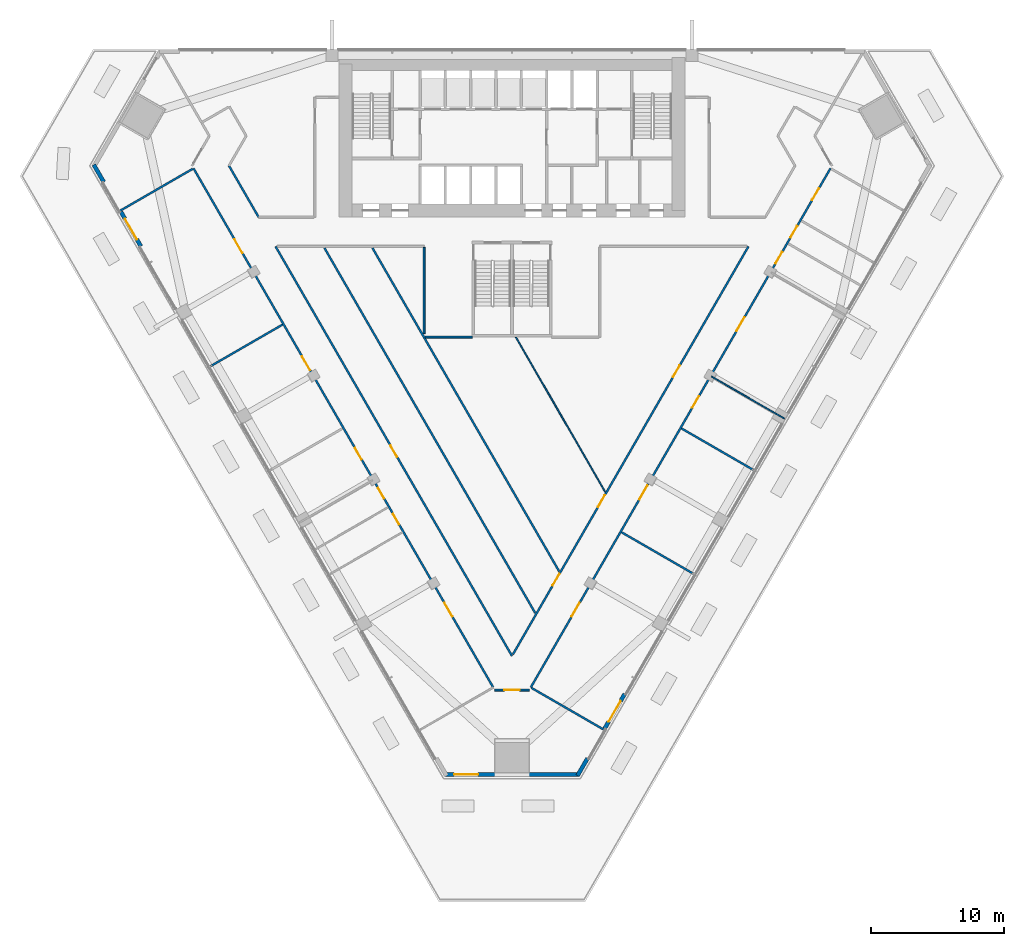
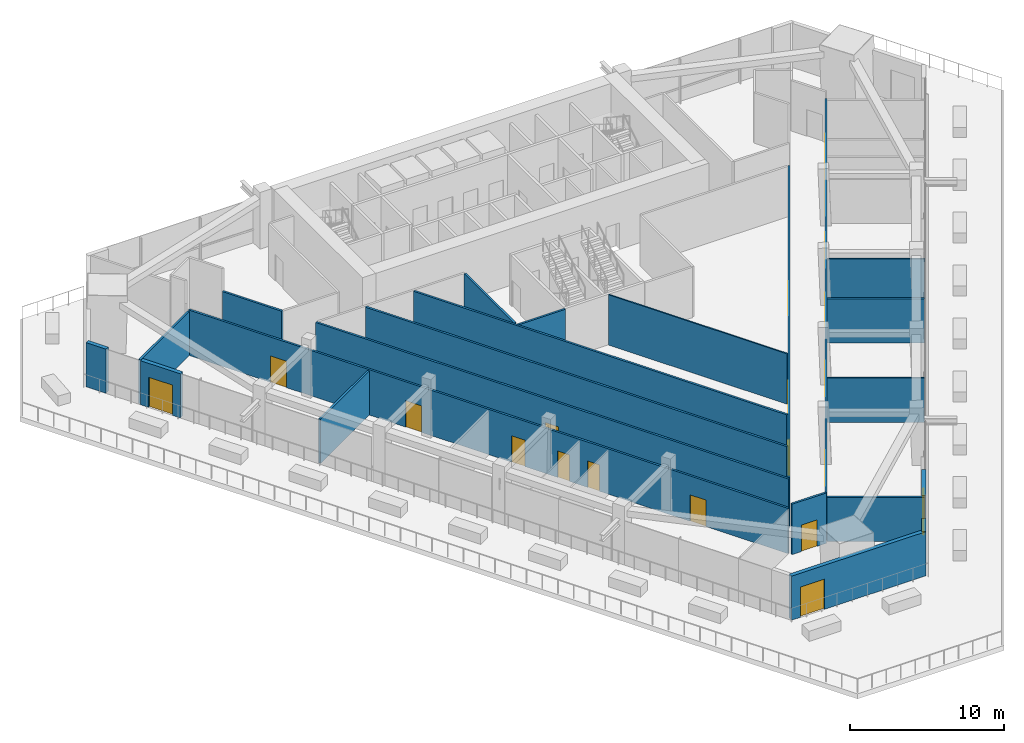
# One storey, part 9 of 15: 22 walls, 21 doors, 21 openings.
"""IFC4 building model written with IfcOpenShell, lengths in metres."""

from ifc_helpers import new_model, si_unit, direction, frame, frame_2d, origin, place, context, subcontext, project, spatial, rectangle, extrude, material, layer, layer_set, type_object, element, fill, save


model = new_model("IFC4")

# Units and contexts
model_context = context("Model", 3, precision=1e-05, world=origin(), true_north=direction((0.0, 1.0)))
body_context = subcontext(model_context, "Body", "Model", "MODEL_VIEW")
ifc_project = project(units=[si_unit("LENGTHUNIT", "METRE"), si_unit("AREAUNIT", "SQUARE_METRE"), si_unit("VOLUMEUNIT", "CUBIC_METRE"), si_unit("PLANEANGLEUNIT", "RADIAN"), si_unit("MASSUNIT", "GRAM", prefix="KILO")], contexts=[model_context])

# Site, building, storey
site_placement = place(None, origin())
site = spatial("IfcSite", under=ifc_project, at=site_placement, CompositionType="ELEMENT")
building_placement = place(site_placement, origin())
building = spatial("IfcBuilding", under=site, at=building_placement, Name="Altiplano Prism Tower", CompositionType="ELEMENT")
storey_placement = place(building_placement, frame((0.0, 0.0, 22.5)))
storey = spatial("IfcBuildingStorey", under=building, at=storey_placement, Name="L04", CompositionType="ELEMENT", Elevation=22.5)

# Walls
ifc_material_1 = material(Name="Plasterboard on steel stud", Category="steel")
ifc_layer_1 = layer(ifc_material_1, 0.10009765625)
ifc_layer_set_1 = layer_set([ifc_layer_1], Name="Plasterboard on steel stud")
wall_type_1 = type_object("IfcWallType", Name="Partition 100 wet", PredefinedType="PARTITIONING", material=ifc_layer_set_1)
wall_1_placement = place(storey_placement, frame((105.449951171875, 77.27392578125, 0.0), z_axis=(0.0, 0.0, 1.0), x_axis=(-0.866015887322, 0.500016482634, 0.0)))
element("IfcWall", 1, at=wall_1_placement, inside=storey, type_object=wall_type_1, Name="Partition P03 L04 041", PredefinedType="PARTITIONING", context=body_context, shape_type="SweptSolid", body=[
    extrude(rectangle(XDim=6.324951171875, YDim=0.10009765625, at=frame_2d((3.16259765625, 0.0))), origin(), (0.0, 0.0, 1.0), 3.5),
])
wall_2_placement = place(storey_placement, frame((85.284423828125, 83.39990234375, 0.0), z_axis=(0.0, 0.0, 1.0), x_axis=(0.500002148711, -0.866024163222, 0.0)))
element("IfcWall", 2, at=wall_2_placement, inside=storey, type_object=wall_type_1, Name="Partition P03 L04 047", PredefinedType="PARTITIONING", context=body_context, shape_type="SweptSolid", body=[
    extrude(rectangle(XDim=13.42431640625, YDim=0.10009765625, at=frame_2d((6.712158203125, 0.0))), origin(), (0.0, 0.0, 1.0), 4.0),
])

# Wall, openings, doors
ifc_layer_2 = layer(ifc_material_1, 0.14990234375)
ifc_layer_set_2 = layer_set([ifc_layer_2], Name="Plasterboard on steel stud")
wall_type_2 = type_object("IfcWallType", Name="Partition 150 corridor", PredefinedType="PARTITIONING", material=ifc_layer_set_2)
wall_3_placement = place(storey_placement, frame((61.092529296875, 96.062255859375, 0.0), z_axis=(0.0, 0.0, 1.0), x_axis=(0.5000018851, -0.866024315419, 0.0)))
wall_3 = element("IfcWall", 3, at=wall_3_placement, inside=storey, type_object=wall_type_2, Name="Partition P06 L04 003", PredefinedType="PARTITIONING", context=body_context, shape_type="SweptSolid", body=[
    extrude(rectangle(XDim=44.999755859375, YDim=0.14990234375, at=frame_2d((22.5, 0.0))), origin(), (0.0, 0.0, 1.0), 3.60009765625),
])
opening_1_placement = place(wall_3_placement, frame((6.14990234375, 0.0, 0.0)))
opening_1 = element("IfcOpeningElement", 4, at=opening_1_placement, cuts=wall_3, Name="Opening D0113", PredefinedType="OPENING", context=body_context, shape_type="SweptSolid", body=[
    extrude(rectangle(XDim=1.199951171875, YDim=2.10009765625, at=frame_2d((0.60009765625, 1.050048828125))), frame((0.0, 0.08544921875, 0.0), z_axis=(0.0, -1.0, 0.0), x_axis=(1.0, 0.0, 0.0)), (0.0, 0.0, 1.0), 0.1708984375),
])
opening_2_placement = place(wall_3_placement, frame((16.300048828125, 0.0, 0.0)))
opening_2 = element("IfcOpeningElement", 5, at=opening_2_placement, cuts=wall_3, Name="Opening D0114", PredefinedType="OPENING", context=body_context, shape_type="SweptSolid", body=[
    extrude(rectangle(XDim=1.199951171875, YDim=2.10009765625, at=frame_2d((0.60009765625, 1.050048828125))), frame((0.0, 0.08544921875, 0.0), z_axis=(0.0, -1.0, 0.0), x_axis=(1.0, 0.0, 0.0)), (0.0, 0.0, 1.0), 0.1708984375),
])
opening_3_placement = place(wall_3_placement, frame((24.25, 0.0, 0.0)))
opening_3 = element("IfcOpeningElement", 6, at=opening_3_placement, cuts=wall_3, Name="Opening D0115", PredefinedType="OPENING", context=body_context, shape_type="SweptSolid", body=[
    extrude(rectangle(XDim=1.0, YDim=2.10009765625, at=frame_2d((0.5, 1.050048828125))), frame((0.0, 0.08544921875, 0.0), z_axis=(0.0, -1.0, 0.0), x_axis=(1.0, 0.0, 0.0)), (0.0, 0.0, 1.0), 0.1708984375),
])
opening_4_placement = place(wall_3_placement, frame((27.720947265625, 0.0, 0.0)))
opening_4 = element("IfcOpeningElement", 7, at=opening_4_placement, cuts=wall_3, Name="Opening D0116", PredefinedType="OPENING", context=body_context, shape_type="SweptSolid", body=[
    extrude(rectangle(XDim=0.89990234375, YDim=2.10009765625, at=frame_2d((0.449951171875, 1.050048828125))), frame((0.0, 0.08544921875, 0.0), z_axis=(0.0, -1.0, 0.0), x_axis=(1.0, 0.0, 0.0)), (0.0, 0.0, 1.0), 0.1708984375),
])
opening_5_placement = place(wall_3_placement, frame((29.970947265625, 0.0, 0.0)))
opening_5 = element("IfcOpeningElement", 8, at=opening_5_placement, cuts=wall_3, Name="Opening D0117", PredefinedType="OPENING", context=body_context, shape_type="SweptSolid", body=[
    extrude(rectangle(XDim=0.89990234375, YDim=2.10009765625, at=frame_2d((0.449951171875, 1.050048828125))), frame((0.0, 0.08544921875, 0.0), z_axis=(0.0, -1.0, 0.0), x_axis=(1.0, 0.0, 0.0)), (0.0, 0.0, 1.0), 0.1708984375),
])
opening_6_placement = place(wall_3_placement, frame((37.64990234375, 0.0, 0.0)))
opening_6 = element("IfcOpeningElement", 9, at=opening_6_placement, cuts=wall_3, Name="Opening D0118", PredefinedType="OPENING", context=body_context, shape_type="SweptSolid", body=[
    extrude(rectangle(XDim=1.199951171875, YDim=2.10009765625, at=frame_2d((0.60009765625, 1.050048828125))), frame((0.0, 0.08544921875, 0.0), z_axis=(0.0, -1.0, 0.0), x_axis=(1.0, 0.0, 0.0)), (0.0, 0.0, 1.0), 0.1708984375),
])
ifc_material_2 = material(Name="Timber", Category="wood")
door_type_1 = type_object("IfcDoorType", Name="Room door 1000 x 2100", OperationType="NOTDEFINED", PredefinedType="NOTDEFINED", material=ifc_material_2)
door_1_placement = place(opening_3_placement, origin())
door_1 = element("IfcDoor", 10, at=door_1_placement, inside=storey, type_object=door_type_1, Name="Door D0115", OperationType="SINGLE_SWING_LEFT", OverallHeight=2.10009765625, OverallWidth=1.0, PredefinedType="NOTDEFINED", context=body_context, shape_type="SweptSolid", body=[
    extrude(rectangle(XDim=1.0, YDim=2.10009765625, at=frame_2d((0.5, 1.050048828125))), frame((0.0, 0.02490234375, 0.0), z_axis=(0.0, -1.0, 0.0), x_axis=(1.0, 0.0, 0.0)), (0.0, 0.0, 1.0), 0.050048828125),
])
fill(opening_3, door_1)
door_type_2 = type_object("IfcDoorType", Name="Shared room door 1200 x 2100", OperationType="NOTDEFINED", PredefinedType="NOTDEFINED", material=ifc_material_2)
door_2_placement = place(opening_1_placement, origin())
door_2 = element("IfcDoor", 11, at=door_2_placement, inside=storey, type_object=door_type_2, Name="Door D0113", OperationType="SINGLE_SWING_LEFT", OverallHeight=2.10009765625, OverallWidth=1.199951171875, PredefinedType="NOTDEFINED", context=body_context, shape_type="SweptSolid", body=[
    extrude(rectangle(XDim=1.199951171875, YDim=2.10009765625, at=frame_2d((0.60009765625, 1.050048828125))), frame((0.0, 0.02490234375, 0.0), z_axis=(0.0, -1.0, 0.0), x_axis=(1.0, 0.0, 0.0)), (0.0, 0.0, 1.0), 0.050048828125),
])
fill(opening_1, door_2)
door_3_placement = place(opening_2_placement, origin())
door_3 = element("IfcDoor", 12, at=door_3_placement, inside=storey, type_object=door_type_2, Name="Door D0114", OperationType="SINGLE_SWING_RIGHT", OverallHeight=2.10009765625, OverallWidth=1.199951171875, PredefinedType="NOTDEFINED", context=body_context, shape_type="SweptSolid", body=[
    extrude(rectangle(XDim=1.199951171875, YDim=2.10009765625, at=frame_2d((0.60009765625, 1.050048828125))), frame((0.0, 0.02490234375, 0.0), z_axis=(0.0, -1.0, 0.0), x_axis=(1.0, 0.0, 0.0)), (0.0, 0.0, 1.0), 0.050048828125),
])
fill(opening_2, door_3)
door_4_placement = place(opening_6_placement, origin())
door_4 = element("IfcDoor", 13, at=door_4_placement, inside=storey, type_object=door_type_2, Name="Door D0118", OperationType="SINGLE_SWING_LEFT", OverallHeight=2.10009765625, OverallWidth=1.199951171875, PredefinedType="NOTDEFINED", context=body_context, shape_type="SweptSolid", body=[
    extrude(rectangle(XDim=1.199951171875, YDim=2.10009765625, at=frame_2d((0.60009765625, 1.050048828125))), frame((0.0, 0.02490234375, 0.0), z_axis=(0.0, -1.0, 0.0), x_axis=(1.0, 0.0, 0.0)), (0.0, 0.0, 1.0), 0.050048828125),
])
fill(opening_6, door_4)
door_type_3 = type_object("IfcDoorType", Name="Toilet door 900 x 2100", OperationType="NOTDEFINED", PredefinedType="NOTDEFINED", material=ifc_material_2)
door_5_placement = place(opening_4_placement, origin())
door_5 = element("IfcDoor", 14, at=door_5_placement, inside=storey, type_object=door_type_3, Name="Door D0116", OperationType="SINGLE_SWING_LEFT", OverallHeight=2.10009765625, OverallWidth=0.89990234375, PredefinedType="NOTDEFINED", context=body_context, shape_type="SweptSolid", body=[
    extrude(rectangle(XDim=0.89990234375, YDim=2.10009765625, at=frame_2d((0.449951171875, 1.050048828125))), frame((0.0, 0.02490234375, 0.0), z_axis=(0.0, -1.0, 0.0), x_axis=(1.0, 0.0, 0.0)), (0.0, 0.0, 1.0), 0.050048828125),
])
fill(opening_4, door_5)
door_6_placement = place(opening_5_placement, origin())
door_6 = element("IfcDoor", 15, at=door_6_placement, inside=storey, type_object=door_type_3, Name="Door D0117", OperationType="SINGLE_SWING_LEFT", OverallHeight=2.10009765625, OverallWidth=0.89990234375, PredefinedType="NOTDEFINED", context=body_context, shape_type="SweptSolid", body=[
    extrude(rectangle(XDim=0.89990234375, YDim=2.10009765625, at=frame_2d((0.449951171875, 1.050048828125))), frame((0.0, 0.02490234375, 0.0), z_axis=(0.0, -1.0, 0.0), x_axis=(1.0, 0.0, 0.0)), (0.0, 0.0, 1.0), 0.050048828125),
])
fill(opening_5, door_6)

# Wall, opening, door
wall_4_placement = place(storey_placement, frame((83.70458984375, 56.897216796875, 0.0), z_axis=(0.0, 0.0, 1.0), x_axis=(1.0, 0.0, 0.0)))
wall_4 = element("IfcWall", 16, at=wall_4_placement, inside=storey, type_object=wall_type_2, Name="Partition P06 L04 004", PredefinedType="PARTITIONING", context=body_context, shape_type="SweptSolid", body=[
    extrude(rectangle(XDim=2.5908203125, YDim=0.14990234375, at=frame_2d((1.29541015625, 0.0))), origin(), (0.0, 0.0, 1.0), 4.0),
])
opening_7_placement = place(wall_4_placement, frame((0.695068359375, 0.0, 0.0)))
opening_7 = element("IfcOpeningElement", 17, at=opening_7_placement, cuts=wall_4, Name="Opening D0119", PredefinedType="OPENING", context=body_context, shape_type="SweptSolid", body=[
    extrude(rectangle(XDim=1.199951171875, YDim=2.10009765625, at=frame_2d((0.60009765625, 1.050048828125))), frame((0.0, 0.08544921875, 0.0), z_axis=(0.0, -1.0, 0.0), x_axis=(1.0, 0.0, 0.0)), (0.0, 0.0, 1.0), 0.1708984375),
])
door_7_placement = place(opening_7_placement, origin())
door_7 = element("IfcDoor", 18, at=door_7_placement, inside=storey, type_object=door_type_2, Name="Door D0119", OperationType="SINGLE_SWING_LEFT", OverallHeight=2.10009765625, OverallWidth=1.199951171875, PredefinedType="NOTDEFINED", context=body_context, shape_type="SweptSolid", body=[
    extrude(rectangle(XDim=1.199951171875, YDim=2.10009765625, at=frame_2d((0.60009765625, 1.050048828125))), frame((0.0, 0.02490234375, 0.0), z_axis=(0.0, -1.0, 0.0), x_axis=(1.0, 0.0, 0.0)), (0.0, 0.0, 1.0), 0.050048828125),
])
fill(opening_7, door_7)

# Wall, openings, doors
wall_5_placement = place(storey_placement, frame((86.407470703125, 57.09130859375, 0.0), z_axis=(0.0, 0.0, 1.0), x_axis=(0.49999953585, 0.866025671762, 0.0)))
wall_5 = element("IfcWall", 19, at=wall_5_placement, inside=storey, type_object=wall_type_2, Name="Partition P06 L04 005", PredefinedType="PARTITIONING", context=body_context, shape_type="SweptSolid", body=[
    extrude(rectangle(XDim=45.0, YDim=0.14990234375, at=frame_2d((22.5, 0.0))), origin(), (0.0, 0.0, 1.0), 3.60009765625),
])
opening_8_placement = place(wall_5_placement, frame((6.14990234375, 0.0, 0.0)))
opening_8 = element("IfcOpeningElement", 20, at=opening_8_placement, cuts=wall_5, Name="Opening D0120", PredefinedType="OPENING", context=body_context, shape_type="SweptSolid", body=[
    extrude(rectangle(XDim=1.199951171875, YDim=2.10009765625, at=frame_2d((0.60009765625, 1.050048828125))), frame((0.0, 0.08544921875, 0.0), z_axis=(0.0, -1.0, 0.0), x_axis=(1.0, 0.0, 0.0)), (0.0, 0.0, 1.0), 0.1708984375),
])
opening_9_placement = place(wall_5_placement, frame((16.300048828125, 0.0, 0.0)))
opening_9 = element("IfcOpeningElement", 21, at=opening_9_placement, cuts=wall_5, Name="Opening D0121", PredefinedType="OPENING", context=body_context, shape_type="SweptSolid", body=[
    extrude(rectangle(XDim=1.199951171875, YDim=2.10009765625, at=frame_2d((0.60009765625, 1.050048828125))), frame((0.0, 0.08544921875, 0.0), z_axis=(0.0, -1.0, 0.0), x_axis=(1.0, 0.0, 0.0)), (0.0, 0.0, 1.0), 0.1708984375),
])
opening_10_placement = place(wall_5_placement, frame((24.25, 0.0, 0.0)))
opening_10 = element("IfcOpeningElement", 22, at=opening_10_placement, cuts=wall_5, Name="Opening D0122", PredefinedType="OPENING", context=body_context, shape_type="SweptSolid", body=[
    extrude(rectangle(XDim=1.0, YDim=2.10009765625, at=frame_2d((0.5, 1.050048828125))), frame((0.0, 0.08544921875, 0.0), z_axis=(0.0, -1.0, 0.0), x_axis=(1.0, 0.0, 0.0)), (0.0, 0.0, 1.0), 0.1708984375),
])
opening_11_placement = place(wall_5_placement, frame((30.89990234375, 0.0, 0.0)))
opening_11 = element("IfcOpeningElement", 23, at=opening_11_placement, cuts=wall_5, Name="Opening D0123", PredefinedType="OPENING", context=body_context, shape_type="SweptSolid", body=[
    extrude(rectangle(XDim=1.199951171875, YDim=2.10009765625, at=frame_2d((0.60009765625, 1.050048828125))), frame((0.0, 0.08544921875, 0.0), z_axis=(0.0, -1.0, 0.0), x_axis=(1.0, 0.0, 0.0)), (0.0, 0.0, 1.0), 0.1708984375),
])
opening_12_placement = place(wall_5_placement, frame((36.760986328125, 0.0, 0.0)))
opening_12 = element("IfcOpeningElement", 24, at=opening_12_placement, cuts=wall_5, Name="Opening D0124", PredefinedType="OPENING", context=body_context, shape_type="SweptSolid", body=[
    extrude(rectangle(XDim=1.0, YDim=2.10009765625, at=frame_2d((0.5, 1.050048828125))), frame((0.0, 0.08544921875, 0.0), z_axis=(0.0, -1.0, 0.0), x_axis=(1.0, 0.0, 0.0)), (0.0, 0.0, 1.0), 0.1708984375),
])
opening_13_placement = place(wall_5_placement, frame((39.010986328125, 0.0, 0.0)))
opening_13 = element("IfcOpeningElement", 25, at=opening_13_placement, cuts=wall_5, Name="Opening D0125", PredefinedType="OPENING", context=body_context, shape_type="SweptSolid", body=[
    extrude(rectangle(XDim=1.0, YDim=2.10009765625, at=frame_2d((0.5, 1.050048828125))), frame((0.0, 0.08544921875, 0.0), z_axis=(0.0, -1.0, 0.0), x_axis=(1.0, 0.0, 0.0)), (0.0, 0.0, 1.0), 0.1708984375),
])
opening_14_placement = place(wall_5_placement, frame((42.25, 0.0, 0.0)))
opening_14 = element("IfcOpeningElement", 26, at=opening_14_placement, cuts=wall_5, Name="Opening D0126", PredefinedType="OPENING", context=body_context, shape_type="SweptSolid", body=[
    extrude(rectangle(XDim=1.0, YDim=2.10009765625, at=frame_2d((0.5, 1.050048828125))), frame((0.0, 0.08544921875, 0.0), z_axis=(0.0, -1.0, 0.0), x_axis=(1.0, 0.0, 0.0)), (0.0, 0.0, 1.0), 0.1708984375),
])
door_8_placement = place(opening_10_placement, origin())
door_8 = element("IfcDoor", 27, at=door_8_placement, inside=storey, type_object=door_type_1, Name="Door D0122", OperationType="SINGLE_SWING_LEFT", OverallHeight=2.10009765625, OverallWidth=1.0, PredefinedType="NOTDEFINED", context=body_context, shape_type="SweptSolid", body=[
    extrude(rectangle(XDim=1.0, YDim=2.10009765625, at=frame_2d((0.5, 1.050048828125))), frame((0.0, 0.02490234375, 0.0), z_axis=(0.0, -1.0, 0.0), x_axis=(1.0, 0.0, 0.0)), (0.0, 0.0, 1.0), 0.050048828125),
])
fill(opening_10, door_8)
door_9_placement = place(opening_14_placement, origin())
door_9 = element("IfcDoor", 28, at=door_9_placement, inside=storey, type_object=door_type_1, Name="Door D0126", OperationType="SINGLE_SWING_LEFT", OverallHeight=2.10009765625, OverallWidth=1.0, PredefinedType="NOTDEFINED", context=body_context, shape_type="SweptSolid", body=[
    extrude(rectangle(XDim=1.0, YDim=2.10009765625, at=frame_2d((0.5, 1.050048828125))), frame((0.0, 0.02490234375, 0.0), z_axis=(0.0, -1.0, 0.0), x_axis=(1.0, 0.0, 0.0)), (0.0, 0.0, 1.0), 0.050048828125),
])
fill(opening_14, door_9)
door_10_placement = place(opening_8_placement, origin())
door_10 = element("IfcDoor", 29, at=door_10_placement, inside=storey, type_object=door_type_2, Name="Door D0120", OperationType="SINGLE_SWING_LEFT", OverallHeight=2.10009765625, OverallWidth=1.199951171875, PredefinedType="NOTDEFINED", context=body_context, shape_type="SweptSolid", body=[
    extrude(rectangle(XDim=1.199951171875, YDim=2.10009765625, at=frame_2d((0.60009765625, 1.050048828125))), frame((0.0, 0.02490234375, 0.0), z_axis=(0.0, -1.0, 0.0), x_axis=(1.0, 0.0, 0.0)), (0.0, 0.0, 1.0), 0.050048828125),
])
fill(opening_8, door_10)
door_11_placement = place(opening_9_placement, origin())
door_11 = element("IfcDoor", 30, at=door_11_placement, inside=storey, type_object=door_type_2, Name="Door D0121", OperationType="SINGLE_SWING_RIGHT", OverallHeight=2.10009765625, OverallWidth=1.199951171875, PredefinedType="NOTDEFINED", context=body_context, shape_type="SweptSolid", body=[
    extrude(rectangle(XDim=1.199951171875, YDim=2.10009765625, at=frame_2d((0.60009765625, 1.050048828125))), frame((0.0, 0.02490234375, 0.0), z_axis=(0.0, -1.0, 0.0), x_axis=(1.0, 0.0, 0.0)), (0.0, 0.0, 1.0), 0.050048828125),
])
fill(opening_9, door_11)
door_12_placement = place(opening_11_placement, origin())
door_12 = element("IfcDoor", 31, at=door_12_placement, inside=storey, type_object=door_type_2, Name="Door D0123", OperationType="SINGLE_SWING_LEFT", OverallHeight=2.10009765625, OverallWidth=1.199951171875, PredefinedType="NOTDEFINED", context=body_context, shape_type="SweptSolid", body=[
    extrude(rectangle(XDim=1.199951171875, YDim=2.10009765625, at=frame_2d((0.60009765625, 1.050048828125))), frame((0.0, 0.02490234375, 0.0), z_axis=(0.0, -1.0, 0.0), x_axis=(1.0, 0.0, 0.0)), (0.0, 0.0, 1.0), 0.050048828125),
])
fill(opening_11, door_12)
door_type_4 = type_object("IfcDoorType", Name="Store door 1000 x 2100", OperationType="NOTDEFINED", PredefinedType="NOTDEFINED", material=ifc_material_2)
door_13_placement = place(opening_12_placement, origin())
door_13 = element("IfcDoor", 32, at=door_13_placement, inside=storey, type_object=door_type_4, Name="Door D0124", OperationType="SINGLE_SWING_LEFT", OverallHeight=2.10009765625, OverallWidth=1.0, PredefinedType="NOTDEFINED", context=body_context, shape_type="SweptSolid", body=[
    extrude(rectangle(XDim=1.0, YDim=2.10009765625, at=frame_2d((0.5, 1.050048828125))), frame((0.0, 0.02490234375, 0.0), z_axis=(0.0, -1.0, 0.0), x_axis=(1.0, 0.0, 0.0)), (0.0, 0.0, 1.0), 0.050048828125),
])
fill(opening_12, door_13)
door_14_placement = place(opening_13_placement, origin())
door_14 = element("IfcDoor", 33, at=door_14_placement, inside=storey, type_object=door_type_4, Name="Door D0125", OperationType="SINGLE_SWING_LEFT", OverallHeight=2.10009765625, OverallWidth=1.0, PredefinedType="NOTDEFINED", context=body_context, shape_type="SweptSolid", body=[
    extrude(rectangle(XDim=1.0, YDim=2.10009765625, at=frame_2d((0.5, 1.050048828125))), frame((0.0, 0.02490234375, 0.0), z_axis=(0.0, -1.0, 0.0), x_axis=(1.0, 0.0, 0.0)), (0.0, 0.0, 1.0), 0.050048828125),
])
fill(opening_13, door_14)

wall_6_placement = place(storey_placement, frame((102.749755859375, 90.198974609375, 0.0), z_axis=(0.0, 0.0, 1.0), x_axis=(-0.500001686779, -0.86602442992, 0.0)))
wall_6 = element("IfcWall", 34, at=wall_6_placement, inside=storey, type_object=wall_type_2, Name="Partition P06 L04 011", PredefinedType="PARTITIONING", context=body_context, shape_type="SweptSolid", body=[
    extrude(rectangle(XDim=35.36962890625, YDim=0.14990234375, at=frame_2d((17.684814453125, 0.0))), origin(), (0.0, 0.0, 1.0), 4.0),
])
opening_15_placement = place(wall_6_placement, frame((10.31494140625, 0.0, 0.0)))
opening_15 = element("IfcOpeningElement", 35, at=opening_15_placement, cuts=wall_6, Name="Opening D0128", PredefinedType="OPENING", context=body_context, shape_type="SweptSolid", body=[
    extrude(rectangle(XDim=1.0, YDim=2.10009765625, at=frame_2d((0.5, 1.050048828125))), frame((0.0, 0.08544921875, 0.0), z_axis=(0.0, -1.0, 0.0), x_axis=(1.0, 0.0, 0.0)), (0.0, 0.0, 1.0), 0.1708984375),
])
opening_16_placement = place(wall_6_placement, frame((21.571044921875, 0.0, 0.0)))
opening_16 = element("IfcOpeningElement", 36, at=opening_16_placement, cuts=wall_6, Name="Opening D0129", PredefinedType="OPENING", context=body_context, shape_type="SweptSolid", body=[
    extrude(rectangle(XDim=1.0, YDim=2.10009765625, at=frame_2d((0.5, 1.050048828125))), frame((0.0, 0.08544921875, 0.0), z_axis=(0.0, -1.0, 0.0), x_axis=(1.0, 0.0, 0.0)), (0.0, 0.0, 1.0), 0.1708984375),
])
opening_17_placement = place(wall_6_placement, frame((28.39697265625, 0.0, 0.0)))
opening_17 = element("IfcOpeningElement", 37, at=opening_17_placement, cuts=wall_6, Name="Opening D0133", PredefinedType="OPENING", context=body_context, shape_type="SweptSolid", body=[
    extrude(rectangle(XDim=1.0, YDim=2.10009765625, at=frame_2d((0.5, 1.050048828125))), frame((0.0, 0.08544921875, 0.0), z_axis=(0.0, -1.0, 0.0), x_axis=(1.0, 0.0, 0.0)), (0.0, 0.0, 1.0), 0.1708984375),
])
door_15_placement = place(opening_15_placement, origin())
door_15 = element("IfcDoor", 38, at=door_15_placement, inside=storey, type_object=door_type_1, Name="Door D0128", OperationType="SINGLE_SWING_RIGHT", OverallHeight=2.10009765625, OverallWidth=1.0, PredefinedType="NOTDEFINED", context=body_context, shape_type="SweptSolid", body=[
    extrude(rectangle(XDim=1.0, YDim=2.10009765625, at=frame_2d((0.5, 1.050048828125))), frame((0.0, 0.02490234375, 0.0), z_axis=(0.0, -1.0, 0.0), x_axis=(1.0, 0.0, 0.0)), (0.0, 0.0, 1.0), 0.050048828125),
])
fill(opening_15, door_15)
door_16_placement = place(opening_16_placement, origin())
door_16 = element("IfcDoor", 39, at=door_16_placement, inside=storey, type_object=door_type_4, Name="Door D0129", OperationType="SINGLE_SWING_LEFT", OverallHeight=2.10009765625, OverallWidth=1.0, PredefinedType="NOTDEFINED", context=body_context, shape_type="SweptSolid", body=[
    extrude(rectangle(XDim=1.0, YDim=2.10009765625, at=frame_2d((0.5, 1.050048828125))), frame((0.0, 0.02490234375, 0.0), z_axis=(0.0, -1.0, 0.0), x_axis=(1.0, 0.0, 0.0)), (0.0, 0.0, 1.0), 0.050048828125),
])
fill(opening_16, door_16)
door_17_placement = place(opening_17_placement, origin())
door_17 = element("IfcDoor", 40, at=door_17_placement, inside=storey, type_object=door_type_4, Name="Door D0133", OperationType="SINGLE_SWING_LEFT", OverallHeight=2.10009765625, OverallWidth=1.0, PredefinedType="NOTDEFINED", context=body_context, shape_type="SweptSolid", body=[
    extrude(rectangle(XDim=1.0, YDim=2.10009765625, at=frame_2d((0.5, 1.050048828125))), frame((0.0, 0.02490234375, 0.0), z_axis=(0.0, -1.0, 0.0), x_axis=(1.0, 0.0, 0.0)), (0.0, 0.0, 1.0), 0.050048828125),
])
fill(opening_17, door_17)

# Walls
wall_7_placement = place(storey_placement, frame((78.39892578125, 90.1240234375, 0.0), z_axis=(0.0, 0.0, 1.0), x_axis=(0.0, -1.0, 0.0)))
element("IfcWall", 41, at=wall_7_placement, inside=storey, type_object=wall_type_2, Name="Partition P06 L04 012", PredefinedType="PARTITIONING", context=body_context, shape_type="SweptSolid", body=[
    extrude(rectangle(XDim=6.471435546875, YDim=0.14990234375, at=frame_2d((3.23583984375, 0.0))), origin(), (0.0, 0.0, 1.0), 4.0),
])
wall_8_placement = place(storey_placement, frame((78.47412109375, 83.39892578125, 0.0), z_axis=(0.0, 0.0, 1.0), x_axis=(1.0, 0.0, 0.0)))
element("IfcWall", 42, at=wall_8_placement, inside=storey, type_object=wall_type_2, Name="Partition P06 L04 013", PredefinedType="PARTITIONING", context=body_context, shape_type="SweptSolid", body=[
    extrude(rectangle(XDim=3.5458984375, YDim=0.14990234375, at=frame_2d((1.77294921875, 0.0))), origin(), (0.0, 0.0, 1.0), 4.0),
])

# Wall, opening, door
wall_9_placement = place(storey_placement, frame((85.0, 59.45556640625, 0.0), z_axis=(0.0, 0.0, 1.0), x_axis=(-0.5000008632, 0.866024905415, 0.0)))
wall_9 = element("IfcWall", 43, at=wall_9_placement, inside=storey, type_object=wall_type_2, Name="Partition P06 L04 014", PredefinedType="PARTITIONING", context=body_context, shape_type="SweptSolid", body=[
    extrude(rectangle(XDim=35.49951171875, YDim=0.14990234375, at=frame_2d((17.749755859375, 0.0))), origin(), (0.0, 0.0, 1.0), 4.0),
])
opening_18_placement = place(wall_9_placement, frame((17.25, 0.0, 0.0)))
opening_18 = element("IfcOpeningElement", 44, at=opening_18_placement, cuts=wall_9, Name="Opening D0130", PredefinedType="OPENING", context=body_context, shape_type="SweptSolid", body=[
    extrude(rectangle(XDim=1.0, YDim=2.10009765625, at=frame_2d((0.5, 1.050048828125))), frame((0.0, 0.08544921875, 0.0), z_axis=(0.0, -1.0, 0.0), x_axis=(1.0, 0.0, 0.0)), (0.0, 0.0, 1.0), 0.1708984375),
])
door_18_placement = place(opening_18_placement, origin())
door_18 = element("IfcDoor", 45, at=door_18_placement, inside=storey, type_object=door_type_4, Name="Door D0130", OperationType="SINGLE_SWING_LEFT", OverallHeight=2.10009765625, OverallWidth=1.0, PredefinedType="NOTDEFINED", context=body_context, shape_type="SweptSolid", body=[
    extrude(rectangle(XDim=1.0, YDim=2.10009765625, at=frame_2d((0.5, 1.050048828125))), frame((0.0, 0.02490234375, 0.0), z_axis=(0.0, -1.0, 0.0), x_axis=(1.0, 0.0, 0.0)), (0.0, 0.0, 1.0), 0.050048828125),
])
fill(opening_18, door_18)

# Walls
wall_10_placement = place(storey_placement, frame((65.97900390625, 92.40087890625, 0.0), z_axis=(0.0, 0.0, 1.0), x_axis=(-0.499978799242, 0.866037643702, 0.0)))
element("IfcWall", 46, at=wall_10_placement, inside=storey, type_object=wall_type_2, Name="Partition P06 L04 025", PredefinedType="PARTITIONING", context=body_context, shape_type="SweptSolid", body=[
    extrude(rectangle(XDim=4.451904296875, YDim=0.14990234375, at=frame_2d((2.22607421875, 0.0))), origin(), (0.0, 0.0, 1.0), 4.0),
])
ifc_layer_3 = layer(ifc_material_1, 0.14990234375)
ifc_layer_set_3 = layer_set([ifc_layer_3], Name="Plasterboard on steel stud")
wall_type_3 = type_object("IfcWallType", Name="Partition 150 party", PredefinedType="PARTITIONING", material=ifc_layer_set_3)
wall_11_placement = place(storey_placement, frame((55.5361328125, 92.8544921875, 0.0), z_axis=(0.0, 0.0, 1.0), x_axis=(0.866031065609, 0.499990193304, 0.0)))
element("IfcWall", 47, at=wall_11_placement, inside=storey, type_object=wall_type_3, Name="Partition P01 L04 030", PredefinedType="PARTITIONING", context=body_context, shape_type="SweptSolid", body=[
    extrude(rectangle(XDim=6.341064453125, YDim=0.14990234375, at=frame_2d((3.17041015625, 0.0))), origin(), (0.0, 0.0, 1.0), 3.5),
])
wall_12_placement = place(storey_placement, frame((62.300048828125, 81.171142578125, 0.0), z_axis=(0.0, 0.0, 1.0), x_axis=(0.866032601554, 0.49998753289, 0.0)))
element("IfcWall", 48, at=wall_12_placement, inside=storey, type_object=wall_type_3, Name="Partition P01 L04 032", PredefinedType="PARTITIONING", context=body_context, shape_type="SweptSolid", body=[
    extrude(rectangle(XDim=6.324951171875, YDim=0.14990234375, at=frame_2d((3.16259765625, 0.0))), origin(), (0.0, 0.0, 1.0), 3.5),
])
wall_13_placement = place(storey_placement, frame((91.9638671875, 53.88330078125, 0.0), z_axis=(0.0, 0.0, 1.0), x_axis=(-0.866031065609, 0.499990193304, 0.0)))
element("IfcWall", 49, at=wall_13_placement, inside=storey, type_object=wall_type_3, Name="Partition P01 L04 038", PredefinedType="PARTITIONING", context=body_context, shape_type="SweptSolid", body=[
    extrude(rectangle(XDim=6.341064453125, YDim=0.14990234375, at=frame_2d((3.17041015625, 0.0))), origin(), (0.0, 0.0, 1.0), 3.5),
])
for number, where, z_axis, x_axis, name in (
    (50, (98.699951171875, 65.58251953125, 0.0), (0.0, 0.0, 1.0), (-0.866015887322, 0.500016482634, 0.0), "Partition P01 L04 039"),
    (51, (103.199951171875, 73.376708984375, 0.0), (0.0, 0.0, 1.0), (-0.866015887322, 0.500016482634, 0.0), "Partition P01 L04 040"),
):
    element("IfcWall", number, at=place(storey_placement, frame(where, z_axis=z_axis, x_axis=x_axis)), inside=storey, type_object=wall_type_3, Name=name, PredefinedType="PARTITIONING", context=body_context, shape_type="SweptSolid", body=[
        extrude(rectangle(XDim=6.324951171875, YDim=0.14990234375, at=frame_2d((3.16259765625, 0.0))), origin(), (0.0, 0.0, 1.0), 3.5),
    ])
wall_14_placement = place(storey_placement, frame((74.52294921875, 90.08642578125, 0.0), z_axis=(0.0, 0.0, 1.0), x_axis=(0.49999737825, -0.866026917447, 0.0)))
element("IfcWall", 52, at=wall_14_placement, inside=storey, type_object=wall_type_3, Name="Partition P01 L04 048", PredefinedType="PARTITIONING", context=body_context, shape_type="SweptSolid", body=[
    extrude(rectangle(XDim=28.031982421875, YDim=0.14990234375, at=frame_2d((14.01611328125, 0.0))), origin(), (0.0, 0.0, 1.0), 4.0),
])
wall_15_placement = place(storey_placement, frame((86.737060546875, 62.689208984375, 0.0), z_axis=(0.0, 0.0, 1.0), x_axis=(-0.500007698748, 0.866020958865, 0.0)))
element("IfcWall", 53, at=wall_15_placement, inside=storey, type_object=wall_type_3, Name="Partition P01 L04 049", PredefinedType="PARTITIONING", context=body_context, shape_type="SweptSolid", body=[
    extrude(rectangle(XDim=31.6357421875, YDim=0.14990234375, at=frame_2d((15.81787109375, 0.0))), origin(), (0.0, 0.0, 1.0), 4.0),
])
ifc_material_3 = material(Name="Concrete C40", Category="concrete")
ifc_layer_4 = layer(ifc_material_3, 0.300048828125)
ifc_layer_set_4 = layer_set([ifc_layer_4], Name="Concrete C40")
wall_type_4 = type_object("IfcWallType", Name="Stone-clad external wall 300", PredefinedType="SOLIDWALL", material=ifc_layer_set_4)
wall_16_placement = place(storey_placement, frame((54.35498046875, 95.032470703125, 0.0), z_axis=(0.0, 0.0, 1.0), x_axis=(-0.499990139034, 0.866031096941, 0.0)))
element("IfcWall", 54, at=wall_16_placement, inside=storey, type_object=wall_type_4, Name="External wall south-west face L04", PredefinedType="SOLIDWALL", context=body_context, shape_type="SweptSolid", body=[
    extrude(rectangle(XDim=1.5, YDim=0.300048828125, at=frame_2d((0.75, 0.0))), origin(), (0.0, 0.0, 1.0), 3.5),
])

# Wall, opening, door
wall_17_placement = place(storey_placement, frame((57.1435546875, 90.20263671875, 0.0), z_axis=(0.0, 0.0, 1.0), x_axis=(-0.50002537861, 0.866010750942, 0.0)))
wall_17 = element("IfcWall", 55, at=wall_17_placement, inside=storey, type_object=wall_type_4, Name="External wall south-west face L04", PredefinedType="SOLIDWALL", context=body_context, shape_type="SweptSolid", body=[
    extrude(rectangle(XDim=2.999755859375, YDim=0.300048828125, at=frame_2d((1.5, 0.0))), origin(), (0.0, 0.0, 1.0), 3.5),
])
opening_19_placement = place(wall_17_placement, frame((0.60009765625, 0.0, 0.0)))
opening_19 = element("IfcOpeningElement", 56, at=opening_19_placement, cuts=wall_17, Name="Opening D2563", PredefinedType="OPENING", context=body_context, shape_type="SweptSolid", body=[
    extrude(rectangle(XDim=1.800048828125, YDim=2.39990234375, at=frame_2d((0.89990234375, 1.199951171875))), frame((0.0, 0.16064453125, 0.0), z_axis=(0.0, -1.0, 0.0), x_axis=(1.0, 0.0, 0.0)), (0.0, 0.0, 1.0), 0.321044921875),
])
ifc_material_4 = material(Name="Glass", Category="glass")
door_type_5 = type_object("IfcDoorType", Name="Terrace door 1800 x 2400", OperationType="NOTDEFINED", PredefinedType="NOTDEFINED", material=ifc_material_4)
door_19_placement = place(opening_19_placement, origin())
door_19 = element("IfcDoor", 57, at=door_19_placement, inside=storey, type_object=door_type_5, Name="Terrace door", OperationType="DOUBLE_DOOR_SINGLE_SWING", OverallHeight=2.39990234375, OverallWidth=1.800048828125, PredefinedType="NOTDEFINED", context=body_context, shape_type="SweptSolid", body=[
    extrude(rectangle(XDim=1.800048828125, YDim=2.39990234375, at=frame_2d((0.89990234375, 1.199951171875))), frame((0.0, 0.02490234375, 0.0), z_axis=(0.0, -1.0, 0.0), x_axis=(1.0, 0.0, 0.0)), (0.0, 0.0, 1.0), 0.050048828125),
])
fill(opening_19, door_19)

wall_18_placement = place(storey_placement, frame((90.048095703125, 50.547119140625, 0.0), z_axis=(0.0, 0.0, 1.0), x_axis=(-1.0, 0.0, 0.0)))
wall_18 = element("IfcWall", 58, at=wall_18_placement, inside=storey, type_object=wall_type_4, Name="External wall south chamfer L04", PredefinedType="SOLIDWALL", context=body_context, shape_type="SweptSolid", body=[
    extrude(rectangle(XDim=10.09619140625, YDim=0.300048828125, at=frame_2d((5.048095703125, 0.0))), origin(), (0.0, 0.0, 1.0), 3.5),
])
opening_20_placement = place(wall_18_placement, frame((7.59619140625, 0.0, 0.0)))
opening_20 = element("IfcOpeningElement", 59, at=opening_20_placement, cuts=wall_18, Name="Opening D2564", PredefinedType="OPENING", context=body_context, shape_type="SweptSolid", body=[
    extrude(rectangle(XDim=1.800048828125, YDim=2.39990234375, at=frame_2d((0.89990234375, 1.199951171875))), frame((0.0, 0.16064453125, 0.0), z_axis=(0.0, -1.0, 0.0), x_axis=(1.0, 0.0, 0.0)), (0.0, 0.0, 1.0), 0.321044921875),
])
door_20_placement = place(opening_20_placement, origin())
door_20 = element("IfcDoor", 60, at=door_20_placement, inside=storey, type_object=door_type_5, Name="Terrace door", OperationType="DOUBLE_DOOR_SINGLE_SWING", OverallHeight=2.39990234375, OverallWidth=1.800048828125, PredefinedType="NOTDEFINED", context=body_context, shape_type="SweptSolid", body=[
    extrude(rectangle(XDim=1.800048828125, YDim=2.39990234375, at=frame_2d((0.89990234375, 1.199951171875))), frame((0.0, 0.02490234375, 0.0), z_axis=(0.0, -1.0, 0.0), x_axis=(1.0, 0.0, 0.0)), (0.0, 0.0, 1.0), 0.050048828125),
])
fill(opening_20, door_20)

# Wall
wall_19_placement = place(storey_placement, frame((90.668212890625, 51.771240234375, 0.0), z_axis=(0.0, 0.0, 1.0), x_axis=(-0.499990139034, -0.866031096941, 0.0)))
element("IfcWall", 61, at=wall_19_placement, inside=storey, type_object=wall_type_4, Name="External wall south-east face L04", PredefinedType="SOLIDWALL", context=body_context, shape_type="SweptSolid", body=[
    extrude(rectangle(XDim=1.5, YDim=0.300048828125, at=frame_2d((0.75, 0.0))), origin(), (0.0, 0.0, 1.0), 3.5),
])

# Wall, opening, door
wall_20_placement = place(storey_placement, frame((93.456787109375, 56.60107421875, 0.0), z_axis=(0.0, 0.0, 1.0), x_axis=(-0.499990139034, -0.866031096941, 0.0)))
wall_20 = element("IfcWall", 62, at=wall_20_placement, inside=storey, type_object=wall_type_4, Name="External wall south-east face L04", PredefinedType="SOLIDWALL", context=body_context, shape_type="SweptSolid", body=[
    extrude(rectangle(XDim=3.0, YDim=0.300048828125, at=frame_2d((1.5, 0.0))), origin(), (0.0, 0.0, 1.0), 3.5),
])
opening_21_placement = place(wall_20_placement, frame((0.60009765625, 0.0, 0.0)))
opening_21 = element("IfcOpeningElement", 63, at=opening_21_placement, cuts=wall_20, Name="Opening D2565", PredefinedType="OPENING", context=body_context, shape_type="SweptSolid", body=[
    extrude(rectangle(XDim=1.800048828125, YDim=2.39990234375, at=frame_2d((0.89990234375, 1.199951171875))), frame((0.0, 0.16064453125, 0.0), z_axis=(0.0, -1.0, 0.0), x_axis=(1.0, 0.0, 0.0)), (0.0, 0.0, 1.0), 0.321044921875),
])
door_21_placement = place(opening_21_placement, origin())
door_21 = element("IfcDoor", 64, at=door_21_placement, inside=storey, type_object=door_type_5, Name="Terrace door", OperationType="DOUBLE_DOOR_SINGLE_SWING", OverallHeight=2.39990234375, OverallWidth=1.800048828125, PredefinedType="NOTDEFINED", context=body_context, shape_type="SweptSolid", body=[
    extrude(rectangle(XDim=1.800048828125, YDim=2.39990234375, at=frame_2d((0.89990234375, 1.199951171875))), frame((0.0, 0.02490234375, 0.0), z_axis=(0.0, -1.0, 0.0), x_axis=(1.0, 0.0, 0.0)), (0.0, 0.0, 1.0), 0.050048828125),
])
fill(opening_21, door_21)

save(model, "model.ifc")
